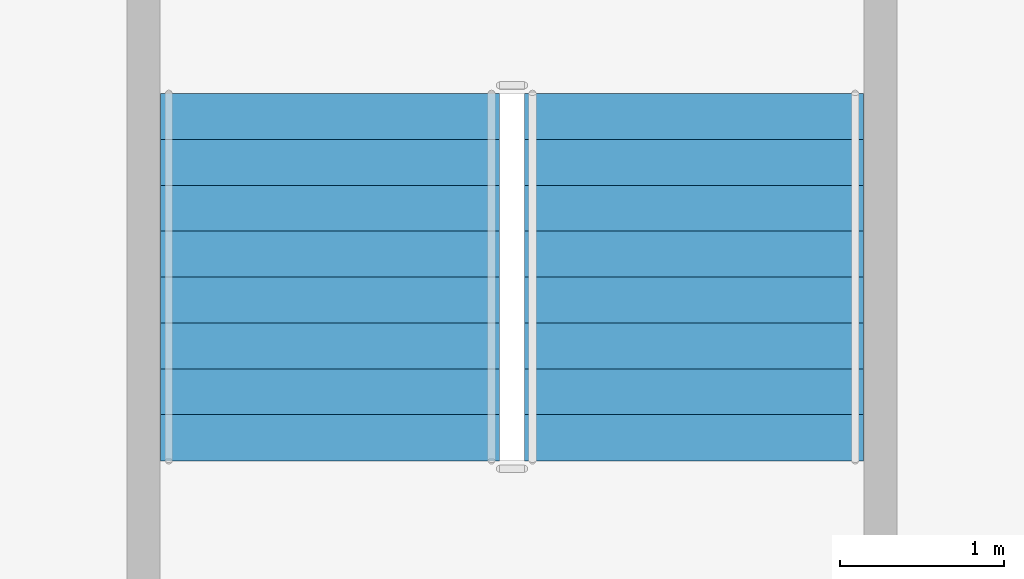
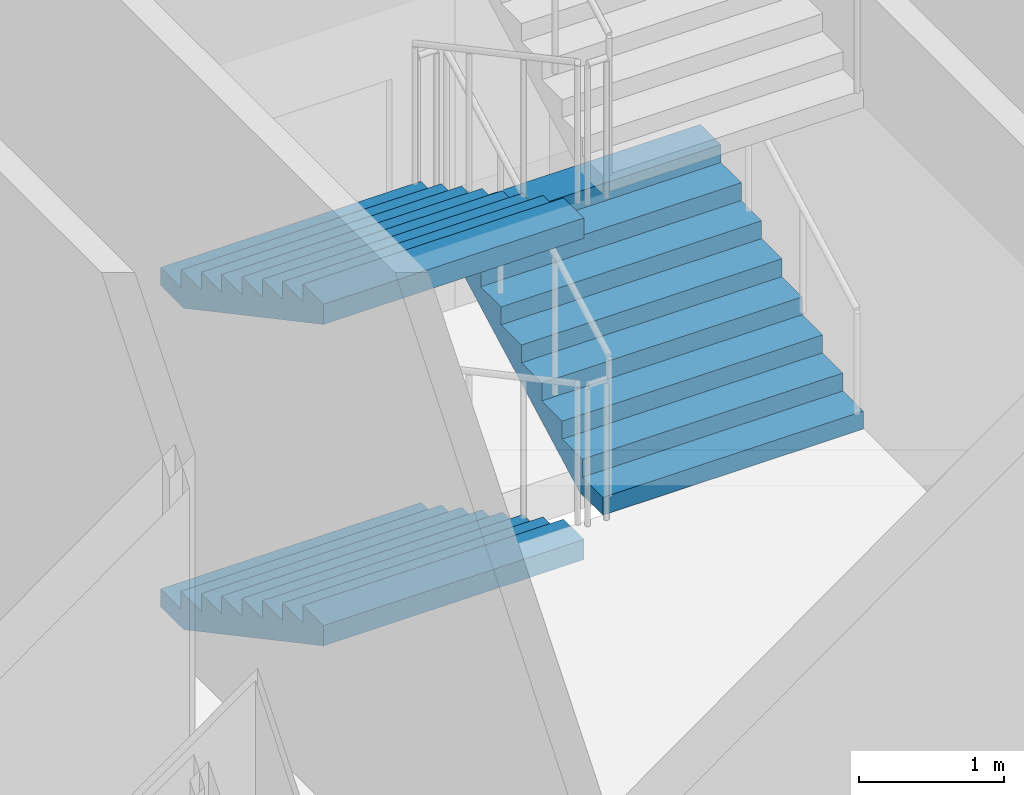
# One storey, part 16 of 26: 3 stair flights, 1 element without a shape of its own.
"""IFC4 building model written with IfcOpenShell, lengths in metres."""

from ifc_helpers import new_model, si_unit, direction, frame, origin, place, context, subcontext, project, spatial, polygons, material, type_object, element, aggregate, save


model = new_model("IFC4")

# Units and contexts
model_context = context("Model", 3, precision=1e-05, world=origin(), true_north=direction((0.0, 1.0)))
body_context = subcontext(model_context, "Body", "Model", "MODEL_VIEW")
ifc_project = project(units=[si_unit("LENGTHUNIT", "METRE"), si_unit("AREAUNIT", "SQUARE_METRE"), si_unit("VOLUMEUNIT", "CUBIC_METRE"), si_unit("PLANEANGLEUNIT", "RADIAN"), si_unit("MASSUNIT", "GRAM", prefix="KILO")], contexts=[model_context])

# Site, building, storey
site_placement = place(None, origin())
site = spatial("IfcSite", under=ifc_project, at=site_placement, CompositionType="ELEMENT")
building_placement = place(site_placement, origin())
building = spatial("IfcBuilding", under=site, at=building_placement, Name="Caravel Reach Hotel and Residences", CompositionType="ELEMENT")
storey_placement = place(building_placement, frame((0.0, 0.0, 12.0)))
storey = spatial("IfcBuildingStorey", under=building, at=storey_placement, Name="L02", CompositionType="ELEMENT", Elevation=12.0)

# Stair, stair flights
ifc_material_1 = material(Name="Concrete C40", Category="concrete")
stair_type = type_object("IfcStairType", Name="Core stair", PredefinedType="HALF_TURN_STAIR", material=ifc_material_1)
stair_placement = place(storey_placement, origin())
stair = element("IfcStair", 1, at=stair_placement, inside=storey, type_object=stair_type, Name="L02 Exit stair P1", PredefinedType="HALF_TURN_STAIR")
ifc_material_2 = material(Name="Concrete C40", Category="concrete")
stair_flight_type = type_object("IfcStairFlightType", Name="Core stair flight", PredefinedType="STRAIGHT", material=ifc_material_2)
stair_flight_1_placement = place(storey_placement, frame((7.889892578125, 41.010009765625, 0.0), z_axis=(0.0, 0.0, 1.0), x_axis=(0.0, -1.0, 0.0)))
stair_flight_1 = element("IfcStairFlight", 2, at=stair_flight_1_placement, type_object=stair_flight_type, Name="ST-P1 flight 1", NumberOfRisers=9, NumberOfTreads=8, PredefinedType="STRAIGHT", RiserHeight=0.15, TreadLength=0.28, context=body_context, shape_type="Tessellation", body=[
    polygons([(0.3174408016601864, 1.0350341796875, 0.0), (0.3174408016601864, 0.6900227864583333, 0.0), (0.3174408016601864, 0.34501139322916663, 0.0), (0.3174408016601864, 0.0, 0.0), (0.3174408016601864, -0.34501139322916674, 0.0), (0.3174408016601864, -0.6900227864583333, 0.0), (0.3174408016601864, -1.0350341796875, 0.0), (2.241, 1.0350341796875, 1.029942427682043), (2.241, 0.6900227864583333, 1.029942427682043), (2.241, 0.34501139322916663, 1.029942427682043), (2.241, 0.0, 1.029942427682043), (2.241, -0.34501139322916674, 1.029942427682043), (2.241, -0.6900227864583333, 1.029942427682043), (2.241, -1.0350341796875, 1.029942427682043), (2.241, 1.0350341796875, 1.2), (2.241, 0.6900227864583333, 1.2), (2.241, 0.34501139322916663, 1.2), (2.241, 0.0, 1.2), (2.241, -0.34501139322916674, 1.2), (2.241, -0.6900227864583333, 1.2), (2.241, -1.0350341796875, 1.2), (1.9600000000000002, 1.0350341796875, 1.2), (1.9600000000000002, 0.6900227864583333, 1.2), (1.9600000000000002, 0.34501139322916663, 1.2), (1.9600000000000002, 0.0, 1.2), (1.9600000000000002, -0.34501139322916674, 1.2), (1.9600000000000002, -0.6900227864583333, 1.2), (1.9600000000000002, -1.0350341796875, 1.2), (1.9600000000000002, 1.0350341796875, 1.05), (1.9600000000000002, 0.6900227864583333, 1.05), (1.9600000000000002, 0.34501139322916663, 1.05), (1.9600000000000002, 0.0, 1.05), (1.9600000000000002, -0.34501139322916674, 1.05), (1.9600000000000002, -0.6900227864583333, 1.05), (1.9600000000000002, -1.0350341796875, 1.05), (1.6800000000000002, 1.0350341796875, 1.05), (1.6800000000000002, 0.6900227864583333, 1.05), (1.6800000000000002, 0.34501139322916663, 1.05), (1.6800000000000002, 0.0, 1.05), (1.6800000000000002, -0.34501139322916674, 1.05), (1.6800000000000002, -0.6900227864583333, 1.05), (1.6800000000000002, -1.0350341796875, 1.05), (1.6800000000000002, 1.0350341796875, 0.8999999999999999), (1.6800000000000002, 0.6900227864583333, 0.8999999999999999), (1.6800000000000002, 0.34501139322916663, 0.8999999999999999), (1.6800000000000002, 0.0, 0.8999999999999999), (1.6800000000000002, -0.34501139322916674, 0.8999999999999999), (1.6800000000000002, -0.6900227864583333, 0.8999999999999999), (1.6800000000000002, -1.0350341796875, 0.8999999999999999), (1.4000000000000001, 1.0350341796875, 0.8999999999999999), (1.4000000000000001, 0.6900227864583333, 0.8999999999999999), (1.4000000000000001, 0.34501139322916663, 0.8999999999999999), (1.4000000000000001, 0.0, 0.8999999999999999), (1.4000000000000001, -0.34501139322916674, 0.8999999999999999), (1.4000000000000001, -0.6900227864583333, 0.8999999999999999), (1.4000000000000001, -1.0350341796875, 0.8999999999999999), (1.4000000000000001, 1.0350341796875, 0.75), (1.4000000000000001, 0.6900227864583333, 0.75), (1.4000000000000001, 0.34501139322916663, 0.75), (1.4000000000000001, 0.0, 0.75), (1.4000000000000001, -0.34501139322916674, 0.75), (1.4000000000000001, -0.6900227864583333, 0.75), (1.4000000000000001, -1.0350341796875, 0.75), (1.12, 1.0350341796875, 0.75), (1.12, 0.6900227864583333, 0.75), (1.12, 0.34501139322916663, 0.75), (1.12, 0.0, 0.75), (1.12, -0.34501139322916674, 0.75), (1.12, -0.6900227864583333, 0.75), (1.12, -1.0350341796875, 0.75), (1.12, 1.0350341796875, 0.6), (1.12, 0.6900227864583333, 0.6), (1.12, 0.34501139322916663, 0.6), (1.12, 0.0, 0.6), (1.12, -0.34501139322916674, 0.6), (1.12, -0.6900227864583333, 0.6), (1.12, -1.0350341796875, 0.6), (0.8400000000000001, 1.0350341796875, 0.6), (0.8400000000000001, 0.6900227864583333, 0.6), (0.8400000000000001, 0.34501139322916663, 0.6), (0.8400000000000001, 0.0, 0.6), (0.8400000000000001, -0.34501139322916674, 0.6), (0.8400000000000001, -0.6900227864583333, 0.6), (0.8400000000000001, -1.0350341796875, 0.6), (0.8400000000000001, 1.0350341796875, 0.44999999999999996), (0.8400000000000001, 0.6900227864583333, 0.44999999999999996), (0.8400000000000001, 0.34501139322916663, 0.44999999999999996), (0.8400000000000001, 0.0, 0.44999999999999996), (0.8400000000000001, -0.34501139322916674, 0.44999999999999996), (0.8400000000000001, -0.6900227864583333, 0.44999999999999996), (0.8400000000000001, -1.0350341796875, 0.44999999999999996), (0.56, 1.0350341796875, 0.44999999999999996), (0.56, 0.6900227864583333, 0.44999999999999996), (0.56, 0.34501139322916663, 0.44999999999999996), (0.56, 0.0, 0.44999999999999996), (0.56, -0.34501139322916674, 0.44999999999999996), (0.56, -0.6900227864583333, 0.44999999999999996), (0.56, -1.0350341796875, 0.44999999999999996), (0.56, 1.0350341796875, 0.3), (0.56, 0.6900227864583333, 0.3), (0.56, 0.34501139322916663, 0.3), (0.56, 0.0, 0.3), (0.56, -0.34501139322916674, 0.3), (0.56, -0.6900227864583333, 0.3), (0.56, -1.0350341796875, 0.3), (0.28, 1.0350341796875, 0.3), (0.28, 0.6900227864583333, 0.3), (0.28, 0.34501139322916663, 0.3), (0.28, 0.0, 0.3), (0.28, -0.34501139322916674, 0.3), (0.28, -0.6900227864583333, 0.3), (0.28, -1.0350341796875, 0.3), (0.28, 1.0350341796875, 0.15), (0.28, 0.6900227864583333, 0.15), (0.28, 0.34501139322916663, 0.15), (0.28, 0.0, 0.15), (0.28, -0.34501139322916674, 0.15), (0.28, -0.6900227864583333, 0.15), (0.28, -1.0350341796875, 0.15), (-0.001, 1.0350341796875, 0.15), (-0.001, 0.6900227864583333, 0.15), (-0.001, 0.34501139322916663, 0.15), (-0.001, 0.0, 0.15), (-0.001, -0.34501139322916674, 0.15), (-0.001, -0.6900227864583333, 0.15), (-0.001, -1.0350341796875, 0.15), (-0.001, 1.0350341796875, 0.0), (-0.001, 0.6900227864583333, 0.0), (-0.001, 0.34501139322916663, 0.0), (-0.001, 0.0, 0.0), (-0.001, -0.34501139322916674, 0.0), (-0.001, -0.6900227864583333, 0.0), (-0.001, -1.0350341796875, 0.0)], [[[127, 120, 113, 106, 99, 92, 85, 78, 71, 64, 57, 50, 43, 36, 29, 22, 15, 8, 1]], [[7, 14, 21, 28, 35, 42, 49, 56, 63, 70, 77, 84, 91, 98, 105, 112, 119, 126, 133]], [[1, 8, 9, 2]], [[2, 9, 10, 3]], [[3, 10, 11, 4]], [[4, 11, 12, 5]], [[5, 12, 13, 6]], [[6, 13, 14, 7]], [[8, 15, 16, 9]], [[9, 16, 17, 10]], [[10, 17, 18, 11]], [[11, 18, 19, 12]], [[12, 19, 20, 13]], [[13, 20, 21, 14]], [[15, 22, 23, 16]], [[16, 23, 24, 17]], [[17, 24, 25, 18]], [[18, 25, 26, 19]], [[19, 26, 27, 20]], [[20, 27, 28, 21]], [[22, 29, 30, 23]], [[23, 30, 31, 24]], [[24, 31, 32, 25]], [[25, 32, 33, 26]], [[26, 33, 34, 27]], [[27, 34, 35, 28]], [[29, 36, 37, 30]], [[30, 37, 38, 31]], [[31, 38, 39, 32]], [[32, 39, 40, 33]], [[33, 40, 41, 34]], [[34, 41, 42, 35]], [[36, 43, 44, 37]], [[37, 44, 45, 38]], [[38, 45, 46, 39]], [[39, 46, 47, 40]], [[40, 47, 48, 41]], [[41, 48, 49, 42]], [[43, 50, 51, 44]], [[44, 51, 52, 45]], [[45, 52, 53, 46]], [[46, 53, 54, 47]], [[47, 54, 55, 48]], [[48, 55, 56, 49]], [[50, 57, 58, 51]], [[51, 58, 59, 52]], [[52, 59, 60, 53]], [[53, 60, 61, 54]], [[54, 61, 62, 55]], [[55, 62, 63, 56]], [[57, 64, 65, 58]], [[58, 65, 66, 59]], [[59, 66, 67, 60]], [[60, 67, 68, 61]], [[61, 68, 69, 62]], [[62, 69, 70, 63]], [[64, 71, 72, 65]], [[65, 72, 73, 66]], [[66, 73, 74, 67]], [[67, 74, 75, 68]], [[68, 75, 76, 69]], [[69, 76, 77, 70]], [[71, 78, 79, 72]], [[72, 79, 80, 73]], [[73, 80, 81, 74]], [[74, 81, 82, 75]], [[75, 82, 83, 76]], [[76, 83, 84, 77]], [[78, 85, 86, 79]], [[79, 86, 87, 80]], [[80, 87, 88, 81]], [[81, 88, 89, 82]], [[82, 89, 90, 83]], [[83, 90, 91, 84]], [[85, 92, 93, 86]], [[86, 93, 94, 87]], [[87, 94, 95, 88]], [[88, 95, 96, 89]], [[89, 96, 97, 90]], [[90, 97, 98, 91]], [[92, 99, 100, 93]], [[93, 100, 101, 94]], [[94, 101, 102, 95]], [[95, 102, 103, 96]], [[96, 103, 104, 97]], [[97, 104, 105, 98]], [[99, 106, 107, 100]], [[100, 107, 108, 101]], [[101, 108, 109, 102]], [[102, 109, 110, 103]], [[103, 110, 111, 104]], [[104, 111, 112, 105]], [[106, 113, 114, 107]], [[107, 114, 115, 108]], [[108, 115, 116, 109]], [[109, 116, 117, 110]], [[110, 117, 118, 111]], [[111, 118, 119, 112]], [[113, 120, 121, 114]], [[114, 121, 122, 115]], [[115, 122, 123, 116]], [[116, 123, 124, 117]], [[117, 124, 125, 118]], [[118, 125, 126, 119]], [[120, 127, 128, 121]], [[121, 128, 129, 122]], [[122, 129, 130, 123]], [[123, 130, 131, 124]], [[124, 131, 132, 125]], [[125, 132, 133, 126]], [[127, 1, 2, 128]], [[128, 2, 3, 129]], [[129, 3, 4, 130]], [[130, 4, 5, 131]], [[131, 5, 6, 132]], [[132, 6, 7, 133]]], closed=True),
])
stair_flight_2_placement = place(storey_placement, frame((10.110107421875, 38.77001953125, 1.35009765625), z_axis=(0.0, 0.0, 1.0), x_axis=(0.0, 1.0, 0.0)))
stair_flight_2 = element("IfcStairFlight", 3, at=stair_flight_2_placement, type_object=stair_flight_type, Name="ST-P1 flight 2", NumberOfRisers=9, NumberOfTreads=8, PredefinedType="STRAIGHT", RiserHeight=0.15, TreadLength=0.28, context=body_context, shape_type="Tessellation", body=[
    polygons([(0.3174408016601864, 1.0350341796875, 0.0), (0.3174408016601864, 0.6900227864583333, 0.0), (0.3174408016601864, 0.34501139322916663, 0.0), (0.3174408016601864, 0.0, 0.0), (0.3174408016601864, -0.34501139322916674, 0.0), (0.3174408016601864, -0.6900227864583333, 0.0), (0.3174408016601864, -1.0350341796875, 0.0), (2.241, 1.0350341796875, 1.029942427682043), (2.241, 0.6900227864583333, 1.029942427682043), (2.241, 0.34501139322916663, 1.029942427682043), (2.241, 0.0, 1.029942427682043), (2.241, -0.34501139322916674, 1.029942427682043), (2.241, -0.6900227864583333, 1.029942427682043), (2.241, -1.0350341796875, 1.029942427682043), (2.241, 1.0350341796875, 1.2), (2.241, 0.6900227864583333, 1.2), (2.241, 0.34501139322916663, 1.2), (2.241, 0.0, 1.2), (2.241, -0.34501139322916674, 1.2), (2.241, -0.6900227864583333, 1.2), (2.241, -1.0350341796875, 1.2), (1.9600000000000002, 1.0350341796875, 1.2), (1.9600000000000002, 0.6900227864583333, 1.2), (1.9600000000000002, 0.34501139322916663, 1.2), (1.9600000000000002, 0.0, 1.2), (1.9600000000000002, -0.34501139322916674, 1.2), (1.9600000000000002, -0.6900227864583333, 1.2), (1.9600000000000002, -1.0350341796875, 1.2), (1.9600000000000002, 1.0350341796875, 1.05), (1.9600000000000002, 0.6900227864583333, 1.05), (1.9600000000000002, 0.34501139322916663, 1.05), (1.9600000000000002, 0.0, 1.05), (1.9600000000000002, -0.34501139322916674, 1.05), (1.9600000000000002, -0.6900227864583333, 1.05), (1.9600000000000002, -1.0350341796875, 1.05), (1.6800000000000002, 1.0350341796875, 1.05), (1.6800000000000002, 0.6900227864583333, 1.05), (1.6800000000000002, 0.34501139322916663, 1.05), (1.6800000000000002, 0.0, 1.05), (1.6800000000000002, -0.34501139322916674, 1.05), (1.6800000000000002, -0.6900227864583333, 1.05), (1.6800000000000002, -1.0350341796875, 1.05), (1.6800000000000002, 1.0350341796875, 0.8999999999999999), (1.6800000000000002, 0.6900227864583333, 0.8999999999999999), (1.6800000000000002, 0.34501139322916663, 0.8999999999999999), (1.6800000000000002, 0.0, 0.8999999999999999), (1.6800000000000002, -0.34501139322916674, 0.8999999999999999), (1.6800000000000002, -0.6900227864583333, 0.8999999999999999), (1.6800000000000002, -1.0350341796875, 0.8999999999999999), (1.4000000000000001, 1.0350341796875, 0.8999999999999999), (1.4000000000000001, 0.6900227864583333, 0.8999999999999999), (1.4000000000000001, 0.34501139322916663, 0.8999999999999999), (1.4000000000000001, 0.0, 0.8999999999999999), (1.4000000000000001, -0.34501139322916674, 0.8999999999999999), (1.4000000000000001, -0.6900227864583333, 0.8999999999999999), (1.4000000000000001, -1.0350341796875, 0.8999999999999999), (1.4000000000000001, 1.0350341796875, 0.75), (1.4000000000000001, 0.6900227864583333, 0.75), (1.4000000000000001, 0.34501139322916663, 0.75), (1.4000000000000001, 0.0, 0.75), (1.4000000000000001, -0.34501139322916674, 0.75), (1.4000000000000001, -0.6900227864583333, 0.75), (1.4000000000000001, -1.0350341796875, 0.75), (1.12, 1.0350341796875, 0.75), (1.12, 0.6900227864583333, 0.75), (1.12, 0.34501139322916663, 0.75), (1.12, 0.0, 0.75), (1.12, -0.34501139322916674, 0.75), (1.12, -0.6900227864583333, 0.75), (1.12, -1.0350341796875, 0.75), (1.12, 1.0350341796875, 0.6), (1.12, 0.6900227864583333, 0.6), (1.12, 0.34501139322916663, 0.6), (1.12, 0.0, 0.6), (1.12, -0.34501139322916674, 0.6), (1.12, -0.6900227864583333, 0.6), (1.12, -1.0350341796875, 0.6), (0.8400000000000001, 1.0350341796875, 0.6), (0.8400000000000001, 0.6900227864583333, 0.6), (0.8400000000000001, 0.34501139322916663, 0.6), (0.8400000000000001, 0.0, 0.6), (0.8400000000000001, -0.34501139322916674, 0.6), (0.8400000000000001, -0.6900227864583333, 0.6), (0.8400000000000001, -1.0350341796875, 0.6), (0.8400000000000001, 1.0350341796875, 0.44999999999999996), (0.8400000000000001, 0.6900227864583333, 0.44999999999999996), (0.8400000000000001, 0.34501139322916663, 0.44999999999999996), (0.8400000000000001, 0.0, 0.44999999999999996), (0.8400000000000001, -0.34501139322916674, 0.44999999999999996), (0.8400000000000001, -0.6900227864583333, 0.44999999999999996), (0.8400000000000001, -1.0350341796875, 0.44999999999999996), (0.56, 1.0350341796875, 0.44999999999999996), (0.56, 0.6900227864583333, 0.44999999999999996), (0.56, 0.34501139322916663, 0.44999999999999996), (0.56, 0.0, 0.44999999999999996), (0.56, -0.34501139322916674, 0.44999999999999996), (0.56, -0.6900227864583333, 0.44999999999999996), (0.56, -1.0350341796875, 0.44999999999999996), (0.56, 1.0350341796875, 0.3), (0.56, 0.6900227864583333, 0.3), (0.56, 0.34501139322916663, 0.3), (0.56, 0.0, 0.3), (0.56, -0.34501139322916674, 0.3), (0.56, -0.6900227864583333, 0.3), (0.56, -1.0350341796875, 0.3), (0.28, 1.0350341796875, 0.3), (0.28, 0.6900227864583333, 0.3), (0.28, 0.34501139322916663, 0.3), (0.28, 0.0, 0.3), (0.28, -0.34501139322916674, 0.3), (0.28, -0.6900227864583333, 0.3), (0.28, -1.0350341796875, 0.3), (0.28, 1.0350341796875, 0.15), (0.28, 0.6900227864583333, 0.15), (0.28, 0.34501139322916663, 0.15), (0.28, 0.0, 0.15), (0.28, -0.34501139322916674, 0.15), (0.28, -0.6900227864583333, 0.15), (0.28, -1.0350341796875, 0.15), (-0.001, 1.0350341796875, 0.15), (-0.001, 0.6900227864583333, 0.15), (-0.001, 0.34501139322916663, 0.15), (-0.001, 0.0, 0.15), (-0.001, -0.34501139322916674, 0.15), (-0.001, -0.6900227864583333, 0.15), (-0.001, -1.0350341796875, 0.15), (-0.001, 1.0350341796875, 0.0), (-0.001, 0.6900227864583333, 0.0), (-0.001, 0.34501139322916663, 0.0), (-0.001, 0.0, 0.0), (-0.001, -0.34501139322916674, 0.0), (-0.001, -0.6900227864583333, 0.0), (-0.001, -1.0350341796875, 0.0)], [[[127, 120, 113, 106, 99, 92, 85, 78, 71, 64, 57, 50, 43, 36, 29, 22, 15, 8, 1]], [[7, 14, 21, 28, 35, 42, 49, 56, 63, 70, 77, 84, 91, 98, 105, 112, 119, 126, 133]], [[1, 8, 9, 2]], [[2, 9, 10, 3]], [[3, 10, 11, 4]], [[4, 11, 12, 5]], [[5, 12, 13, 6]], [[6, 13, 14, 7]], [[8, 15, 16, 9]], [[9, 16, 17, 10]], [[10, 17, 18, 11]], [[11, 18, 19, 12]], [[12, 19, 20, 13]], [[13, 20, 21, 14]], [[15, 22, 23, 16]], [[16, 23, 24, 17]], [[17, 24, 25, 18]], [[18, 25, 26, 19]], [[19, 26, 27, 20]], [[20, 27, 28, 21]], [[22, 29, 30, 23]], [[23, 30, 31, 24]], [[24, 31, 32, 25]], [[25, 32, 33, 26]], [[26, 33, 34, 27]], [[27, 34, 35, 28]], [[29, 36, 37, 30]], [[30, 37, 38, 31]], [[31, 38, 39, 32]], [[32, 39, 40, 33]], [[33, 40, 41, 34]], [[34, 41, 42, 35]], [[36, 43, 44, 37]], [[37, 44, 45, 38]], [[38, 45, 46, 39]], [[39, 46, 47, 40]], [[40, 47, 48, 41]], [[41, 48, 49, 42]], [[43, 50, 51, 44]], [[44, 51, 52, 45]], [[45, 52, 53, 46]], [[46, 53, 54, 47]], [[47, 54, 55, 48]], [[48, 55, 56, 49]], [[50, 57, 58, 51]], [[51, 58, 59, 52]], [[52, 59, 60, 53]], [[53, 60, 61, 54]], [[54, 61, 62, 55]], [[55, 62, 63, 56]], [[57, 64, 65, 58]], [[58, 65, 66, 59]], [[59, 66, 67, 60]], [[60, 67, 68, 61]], [[61, 68, 69, 62]], [[62, 69, 70, 63]], [[64, 71, 72, 65]], [[65, 72, 73, 66]], [[66, 73, 74, 67]], [[67, 74, 75, 68]], [[68, 75, 76, 69]], [[69, 76, 77, 70]], [[71, 78, 79, 72]], [[72, 79, 80, 73]], [[73, 80, 81, 74]], [[74, 81, 82, 75]], [[75, 82, 83, 76]], [[76, 83, 84, 77]], [[78, 85, 86, 79]], [[79, 86, 87, 80]], [[80, 87, 88, 81]], [[81, 88, 89, 82]], [[82, 89, 90, 83]], [[83, 90, 91, 84]], [[85, 92, 93, 86]], [[86, 93, 94, 87]], [[87, 94, 95, 88]], [[88, 95, 96, 89]], [[89, 96, 97, 90]], [[90, 97, 98, 91]], [[92, 99, 100, 93]], [[93, 100, 101, 94]], [[94, 101, 102, 95]], [[95, 102, 103, 96]], [[96, 103, 104, 97]], [[97, 104, 105, 98]], [[99, 106, 107, 100]], [[100, 107, 108, 101]], [[101, 108, 109, 102]], [[102, 109, 110, 103]], [[103, 110, 111, 104]], [[104, 111, 112, 105]], [[106, 113, 114, 107]], [[107, 114, 115, 108]], [[108, 115, 116, 109]], [[109, 116, 117, 110]], [[110, 117, 118, 111]], [[111, 118, 119, 112]], [[113, 120, 121, 114]], [[114, 121, 122, 115]], [[115, 122, 123, 116]], [[116, 123, 124, 117]], [[117, 124, 125, 118]], [[118, 125, 126, 119]], [[120, 127, 128, 121]], [[121, 128, 129, 122]], [[122, 129, 130, 123]], [[123, 130, 131, 124]], [[124, 131, 132, 125]], [[125, 132, 133, 126]], [[127, 1, 2, 128]], [[128, 2, 3, 129]], [[129, 3, 4, 130]], [[130, 4, 5, 131]], [[131, 5, 6, 132]], [[132, 6, 7, 133]]], closed=True),
])
stair_flight_3_placement = place(storey_placement, frame((7.889892578125, 41.010009765625, 2.699951171875), z_axis=(0.0, 0.0, 1.0), x_axis=(0.0, -1.0, 0.0)))
stair_flight_3 = element("IfcStairFlight", 4, at=stair_flight_3_placement, type_object=stair_flight_type, Name="ST-P1 flight 3", NumberOfRisers=9, NumberOfTreads=8, PredefinedType="STRAIGHT", RiserHeight=0.15, TreadLength=0.28, context=body_context, shape_type="Tessellation", body=[
    polygons([(0.3174408016601864, 1.0350341796875, 0.0), (0.3174408016601864, 0.6900227864583333, 0.0), (0.3174408016601864, 0.34501139322916663, 0.0), (0.3174408016601864, 0.0, 0.0), (0.3174408016601864, -0.34501139322916674, 0.0), (0.3174408016601864, -0.6900227864583333, 0.0), (0.3174408016601864, -1.0350341796875, 0.0), (2.241, 1.0350341796875, 1.029942427682043), (2.241, 0.6900227864583333, 1.029942427682043), (2.241, 0.34501139322916663, 1.029942427682043), (2.241, 0.0, 1.029942427682043), (2.241, -0.34501139322916674, 1.029942427682043), (2.241, -0.6900227864583333, 1.029942427682043), (2.241, -1.0350341796875, 1.029942427682043), (2.241, 1.0350341796875, 1.2), (2.241, 0.6900227864583333, 1.2), (2.241, 0.34501139322916663, 1.2), (2.241, 0.0, 1.2), (2.241, -0.34501139322916674, 1.2), (2.241, -0.6900227864583333, 1.2), (2.241, -1.0350341796875, 1.2), (1.9600000000000002, 1.0350341796875, 1.2), (1.9600000000000002, 0.6900227864583333, 1.2), (1.9600000000000002, 0.34501139322916663, 1.2), (1.9600000000000002, 0.0, 1.2), (1.9600000000000002, -0.34501139322916674, 1.2), (1.9600000000000002, -0.6900227864583333, 1.2), (1.9600000000000002, -1.0350341796875, 1.2), (1.9600000000000002, 1.0350341796875, 1.05), (1.9600000000000002, 0.6900227864583333, 1.05), (1.9600000000000002, 0.34501139322916663, 1.05), (1.9600000000000002, 0.0, 1.05), (1.9600000000000002, -0.34501139322916674, 1.05), (1.9600000000000002, -0.6900227864583333, 1.05), (1.9600000000000002, -1.0350341796875, 1.05), (1.6800000000000002, 1.0350341796875, 1.05), (1.6800000000000002, 0.6900227864583333, 1.05), (1.6800000000000002, 0.34501139322916663, 1.05), (1.6800000000000002, 0.0, 1.05), (1.6800000000000002, -0.34501139322916674, 1.05), (1.6800000000000002, -0.6900227864583333, 1.05), (1.6800000000000002, -1.0350341796875, 1.05), (1.6800000000000002, 1.0350341796875, 0.8999999999999999), (1.6800000000000002, 0.6900227864583333, 0.8999999999999999), (1.6800000000000002, 0.34501139322916663, 0.8999999999999999), (1.6800000000000002, 0.0, 0.8999999999999999), (1.6800000000000002, -0.34501139322916674, 0.8999999999999999), (1.6800000000000002, -0.6900227864583333, 0.8999999999999999), (1.6800000000000002, -1.0350341796875, 0.8999999999999999), (1.4000000000000001, 1.0350341796875, 0.8999999999999999), (1.4000000000000001, 0.6900227864583333, 0.8999999999999999), (1.4000000000000001, 0.34501139322916663, 0.8999999999999999), (1.4000000000000001, 0.0, 0.8999999999999999), (1.4000000000000001, -0.34501139322916674, 0.8999999999999999), (1.4000000000000001, -0.6900227864583333, 0.8999999999999999), (1.4000000000000001, -1.0350341796875, 0.8999999999999999), (1.4000000000000001, 1.0350341796875, 0.75), (1.4000000000000001, 0.6900227864583333, 0.75), (1.4000000000000001, 0.34501139322916663, 0.75), (1.4000000000000001, 0.0, 0.75), (1.4000000000000001, -0.34501139322916674, 0.75), (1.4000000000000001, -0.6900227864583333, 0.75), (1.4000000000000001, -1.0350341796875, 0.75), (1.12, 1.0350341796875, 0.75), (1.12, 0.6900227864583333, 0.75), (1.12, 0.34501139322916663, 0.75), (1.12, 0.0, 0.75), (1.12, -0.34501139322916674, 0.75), (1.12, -0.6900227864583333, 0.75), (1.12, -1.0350341796875, 0.75), (1.12, 1.0350341796875, 0.6), (1.12, 0.6900227864583333, 0.6), (1.12, 0.34501139322916663, 0.6), (1.12, 0.0, 0.6), (1.12, -0.34501139322916674, 0.6), (1.12, -0.6900227864583333, 0.6), (1.12, -1.0350341796875, 0.6), (0.8400000000000001, 1.0350341796875, 0.6), (0.8400000000000001, 0.6900227864583333, 0.6), (0.8400000000000001, 0.34501139322916663, 0.6), (0.8400000000000001, 0.0, 0.6), (0.8400000000000001, -0.34501139322916674, 0.6), (0.8400000000000001, -0.6900227864583333, 0.6), (0.8400000000000001, -1.0350341796875, 0.6), (0.8400000000000001, 1.0350341796875, 0.44999999999999996), (0.8400000000000001, 0.6900227864583333, 0.44999999999999996), (0.8400000000000001, 0.34501139322916663, 0.44999999999999996), (0.8400000000000001, 0.0, 0.44999999999999996), (0.8400000000000001, -0.34501139322916674, 0.44999999999999996), (0.8400000000000001, -0.6900227864583333, 0.44999999999999996), (0.8400000000000001, -1.0350341796875, 0.44999999999999996), (0.56, 1.0350341796875, 0.44999999999999996), (0.56, 0.6900227864583333, 0.44999999999999996), (0.56, 0.34501139322916663, 0.44999999999999996), (0.56, 0.0, 0.44999999999999996), (0.56, -0.34501139322916674, 0.44999999999999996), (0.56, -0.6900227864583333, 0.44999999999999996), (0.56, -1.0350341796875, 0.44999999999999996), (0.56, 1.0350341796875, 0.3), (0.56, 0.6900227864583333, 0.3), (0.56, 0.34501139322916663, 0.3), (0.56, 0.0, 0.3), (0.56, -0.34501139322916674, 0.3), (0.56, -0.6900227864583333, 0.3), (0.56, -1.0350341796875, 0.3), (0.28, 1.0350341796875, 0.3), (0.28, 0.6900227864583333, 0.3), (0.28, 0.34501139322916663, 0.3), (0.28, 0.0, 0.3), (0.28, -0.34501139322916674, 0.3), (0.28, -0.6900227864583333, 0.3), (0.28, -1.0350341796875, 0.3), (0.28, 1.0350341796875, 0.15), (0.28, 0.6900227864583333, 0.15), (0.28, 0.34501139322916663, 0.15), (0.28, 0.0, 0.15), (0.28, -0.34501139322916674, 0.15), (0.28, -0.6900227864583333, 0.15), (0.28, -1.0350341796875, 0.15), (-0.001, 1.0350341796875, 0.15), (-0.001, 0.6900227864583333, 0.15), (-0.001, 0.34501139322916663, 0.15), (-0.001, 0.0, 0.15), (-0.001, -0.34501139322916674, 0.15), (-0.001, -0.6900227864583333, 0.15), (-0.001, -1.0350341796875, 0.15), (-0.001, 1.0350341796875, 0.0), (-0.001, 0.6900227864583333, 0.0), (-0.001, 0.34501139322916663, 0.0), (-0.001, 0.0, 0.0), (-0.001, -0.34501139322916674, 0.0), (-0.001, -0.6900227864583333, 0.0), (-0.001, -1.0350341796875, 0.0)], [[[127, 120, 113, 106, 99, 92, 85, 78, 71, 64, 57, 50, 43, 36, 29, 22, 15, 8, 1]], [[7, 14, 21, 28, 35, 42, 49, 56, 63, 70, 77, 84, 91, 98, 105, 112, 119, 126, 133]], [[1, 8, 9, 2]], [[2, 9, 10, 3]], [[3, 10, 11, 4]], [[4, 11, 12, 5]], [[5, 12, 13, 6]], [[6, 13, 14, 7]], [[8, 15, 16, 9]], [[9, 16, 17, 10]], [[10, 17, 18, 11]], [[11, 18, 19, 12]], [[12, 19, 20, 13]], [[13, 20, 21, 14]], [[15, 22, 23, 16]], [[16, 23, 24, 17]], [[17, 24, 25, 18]], [[18, 25, 26, 19]], [[19, 26, 27, 20]], [[20, 27, 28, 21]], [[22, 29, 30, 23]], [[23, 30, 31, 24]], [[24, 31, 32, 25]], [[25, 32, 33, 26]], [[26, 33, 34, 27]], [[27, 34, 35, 28]], [[29, 36, 37, 30]], [[30, 37, 38, 31]], [[31, 38, 39, 32]], [[32, 39, 40, 33]], [[33, 40, 41, 34]], [[34, 41, 42, 35]], [[36, 43, 44, 37]], [[37, 44, 45, 38]], [[38, 45, 46, 39]], [[39, 46, 47, 40]], [[40, 47, 48, 41]], [[41, 48, 49, 42]], [[43, 50, 51, 44]], [[44, 51, 52, 45]], [[45, 52, 53, 46]], [[46, 53, 54, 47]], [[47, 54, 55, 48]], [[48, 55, 56, 49]], [[50, 57, 58, 51]], [[51, 58, 59, 52]], [[52, 59, 60, 53]], [[53, 60, 61, 54]], [[54, 61, 62, 55]], [[55, 62, 63, 56]], [[57, 64, 65, 58]], [[58, 65, 66, 59]], [[59, 66, 67, 60]], [[60, 67, 68, 61]], [[61, 68, 69, 62]], [[62, 69, 70, 63]], [[64, 71, 72, 65]], [[65, 72, 73, 66]], [[66, 73, 74, 67]], [[67, 74, 75, 68]], [[68, 75, 76, 69]], [[69, 76, 77, 70]], [[71, 78, 79, 72]], [[72, 79, 80, 73]], [[73, 80, 81, 74]], [[74, 81, 82, 75]], [[75, 82, 83, 76]], [[76, 83, 84, 77]], [[78, 85, 86, 79]], [[79, 86, 87, 80]], [[80, 87, 88, 81]], [[81, 88, 89, 82]], [[82, 89, 90, 83]], [[83, 90, 91, 84]], [[85, 92, 93, 86]], [[86, 93, 94, 87]], [[87, 94, 95, 88]], [[88, 95, 96, 89]], [[89, 96, 97, 90]], [[90, 97, 98, 91]], [[92, 99, 100, 93]], [[93, 100, 101, 94]], [[94, 101, 102, 95]], [[95, 102, 103, 96]], [[96, 103, 104, 97]], [[97, 104, 105, 98]], [[99, 106, 107, 100]], [[100, 107, 108, 101]], [[101, 108, 109, 102]], [[102, 109, 110, 103]], [[103, 110, 111, 104]], [[104, 111, 112, 105]], [[106, 113, 114, 107]], [[107, 114, 115, 108]], [[108, 115, 116, 109]], [[109, 116, 117, 110]], [[110, 117, 118, 111]], [[111, 118, 119, 112]], [[113, 120, 121, 114]], [[114, 121, 122, 115]], [[115, 122, 123, 116]], [[116, 123, 124, 117]], [[117, 124, 125, 118]], [[118, 125, 126, 119]], [[120, 127, 128, 121]], [[121, 128, 129, 122]], [[122, 129, 130, 123]], [[123, 130, 131, 124]], [[124, 131, 132, 125]], [[125, 132, 133, 126]], [[127, 1, 2, 128]], [[128, 2, 3, 129]], [[129, 3, 4, 130]], [[130, 4, 5, 131]], [[131, 5, 6, 132]], [[132, 6, 7, 133]]], closed=True),
])
aggregate(stair, [stair_flight_1, stair_flight_2, stair_flight_3])

save(model, "model.ifc")
